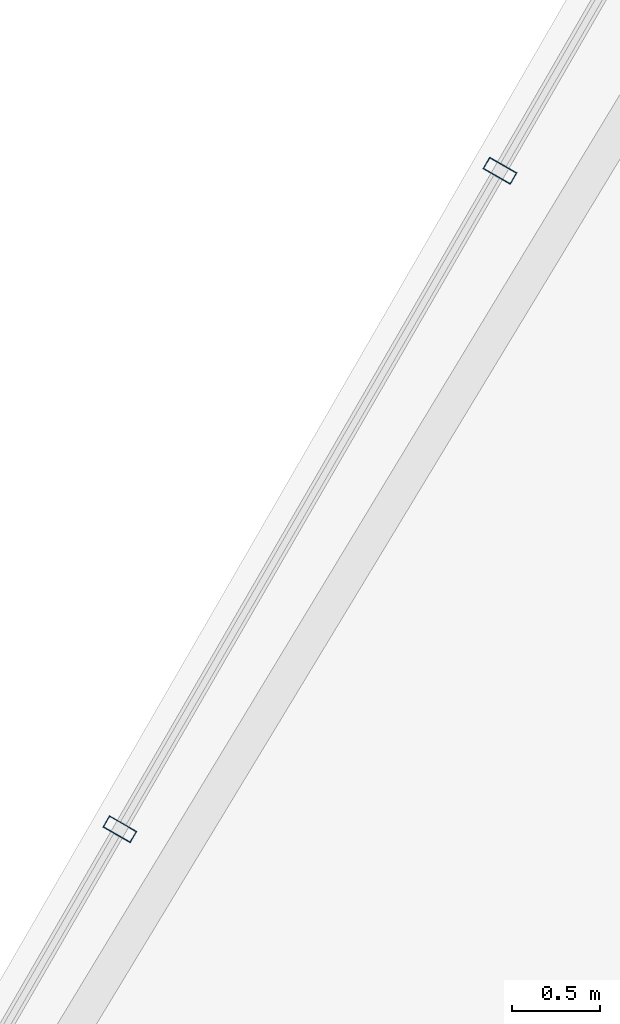
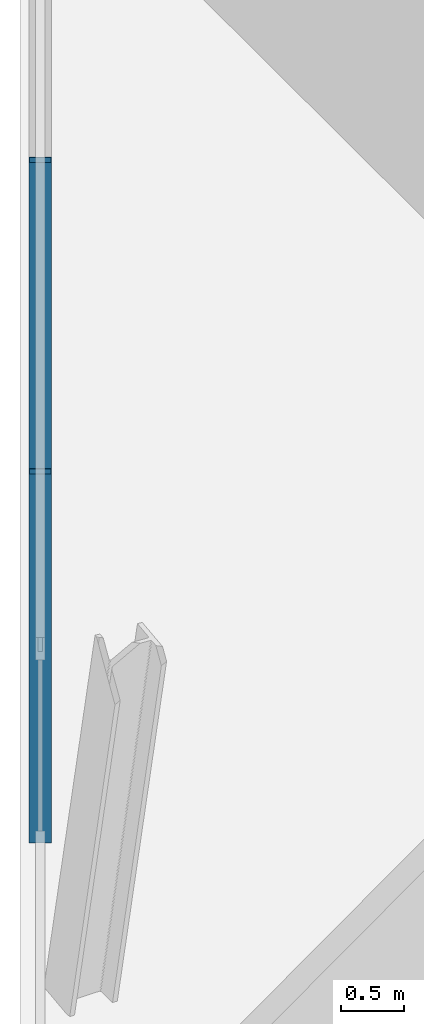
# One storey, part 12 of 30: 2 members, 1 element without a shape of its own.
"""IFC4 building model written with IfcOpenShell, lengths in metres."""

from ifc_helpers import new_model, si_unit, direction, frame, origin, origin_2d, place, context, subcontext, project, spatial, hollow_rectangle, extrude, material, layer, layer_set, material_profile, profile_set, type_object, element, aggregate, save


model = new_model("IFC4")

# Units and contexts
model_context = context("Model", 3, precision=1e-05, world=origin(), true_north=direction((0.0, 1.0)))
body_context = subcontext(model_context, "Body", "Model", "MODEL_VIEW")
ifc_project = project(units=[si_unit("LENGTHUNIT", "METRE"), si_unit("AREAUNIT", "SQUARE_METRE"), si_unit("VOLUMEUNIT", "CUBIC_METRE"), si_unit("PLANEANGLEUNIT", "RADIAN"), si_unit("MASSUNIT", "GRAM", prefix="KILO")], contexts=[model_context])

# Site, building, storey
site_placement = place(None, origin())
site = spatial("IfcSite", under=ifc_project, at=site_placement, CompositionType="ELEMENT")
building_placement = place(site_placement, origin())
building = spatial("IfcBuilding", under=site, at=building_placement, Name="Ndaravel Arena Tower", CompositionType="ELEMENT")
storey_placement = place(building_placement, frame((0.0, 0.0, 225.60009765625)))
storey = spatial("IfcBuildingStorey", under=building, at=storey_placement, Name="L54", CompositionType="ELEMENT", Elevation=225.60009765625)

# Curtain wall, members
ifc_material_1 = material(Name="Aluminium", Category="aluminium")
ifc_layer = layer(ifc_material_1, 0.179931640625)
ifc_layer_set = layer_set([ifc_layer], Name="Aluminium")
curtain_wall_type = type_object("IfcCurtainWallType", Name="CW-SYS-03", PredefinedType="NOTDEFINED", material=ifc_layer_set)
curtain_wall_placement = place(storey_placement, origin())
curtain_wall = element("IfcCurtainWall", 1, at=curtain_wall_placement, inside=storey, type_object=curtain_wall_type, Name="L54 Faceted Crystal Curtain Wall CW-L54-E05", PredefinedType="NOTDEFINED")
ifc_material_2 = material(Name="Aluminium", Category="aluminium")
ifc_material_profile = material_profile(ifc_material_2, hollow_rectangle(XDim=0.074951171875, YDim=0.179931640625, WallThickness=0.00390625, at=origin_2d()), Name="CW MULLION 75x180x4")
ifc_profile_set = profile_set([ifc_material_profile], Name="Aluminium")
member_type = type_object("IfcMemberType", Name="MEM-CW-MUL180", PredefinedType="MULLION", material=ifc_profile_set)
member_1_placement = place(storey_placement, frame((31.620361328125, 34.35791015625, 0.0), z_axis=(0.0, 0.0, 1.0), x_axis=(-0.5, -0.866025403784, 0.0)))
member_1 = element("IfcMember", 2, at=member_1_placement, type_object=member_type, Name="CW-L54-E05 Mullion 03", PredefinedType="MULLION", context=body_context, shape_type="SweptSolid", body=[
    extrude(hollow_rectangle(XDim=0.074951171875, YDim=0.179931640625, WallThickness=0.00390625, at=origin_2d()), origin(), (0.0, 0.0, 1.0), 3.579833984375),
])
member_2_placement = place(storey_placement, frame((29.461181640625, 30.617919921875, 0.0), z_axis=(0.0, 0.0, 1.0), x_axis=(-0.5, -0.866025403784, 0.0)))
member_2 = element("IfcMember", 3, at=member_2_placement, type_object=member_type, Name="CW-L54-E05 Mullion 04", PredefinedType="MULLION", context=body_context, shape_type="SweptSolid", body=[
    extrude(hollow_rectangle(XDim=0.074951171875, YDim=0.179931640625, WallThickness=0.00390625, at=origin_2d()), origin(), (0.0, 0.0, 1.0), 3.579833984375),
])
aggregate(curtain_wall, [member_1, member_2])

save(model, "model.ifc")
